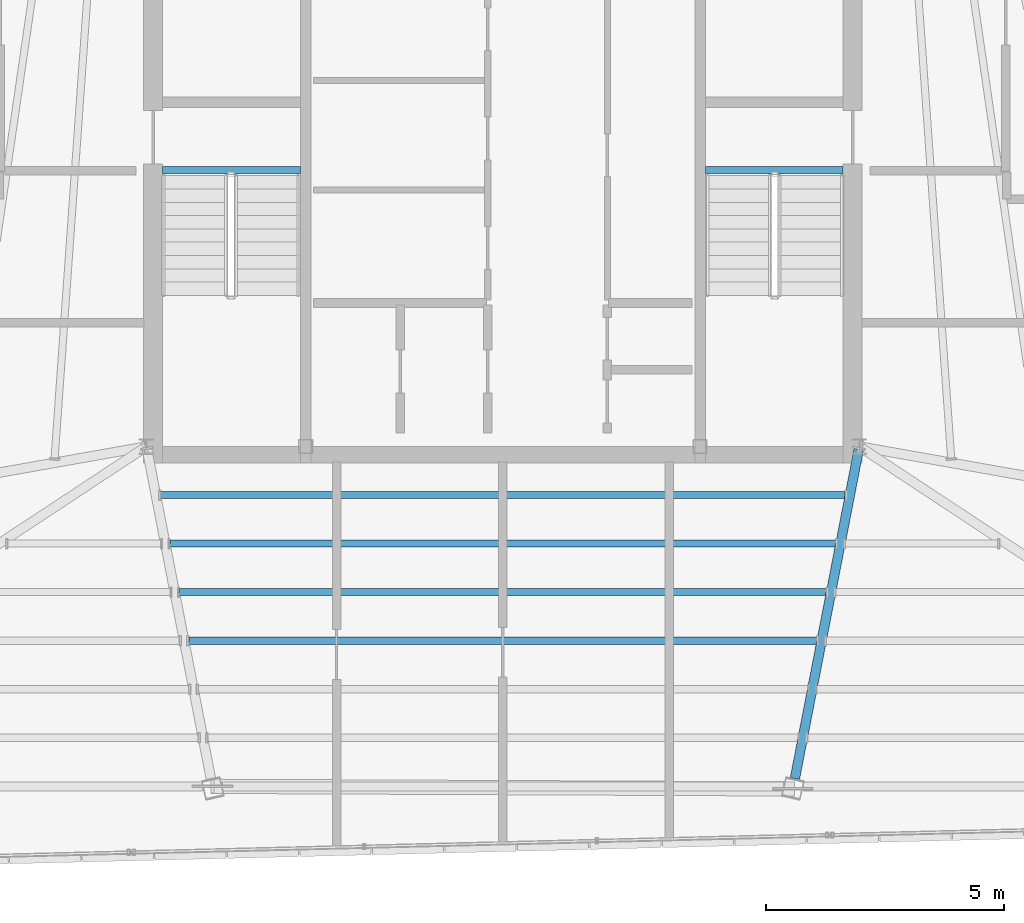
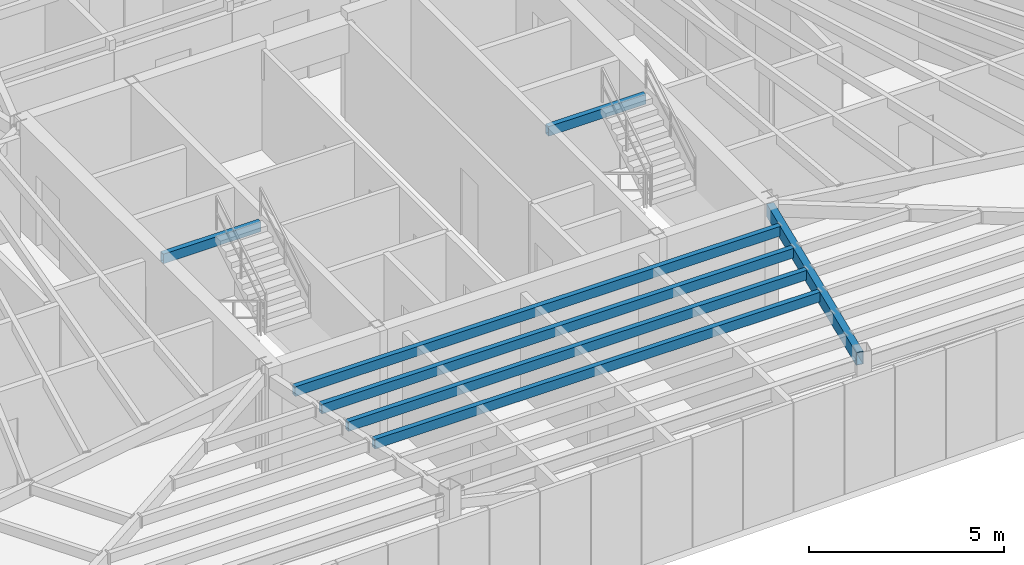
# One storey, part 16 of 48: 7 beams.
"""IFC4 building model written with IfcOpenShell, lengths in metres."""

from ifc_helpers import new_model, si_unit, direction, frame, origin, origin_2d, place, context, subcontext, project, spatial, hollow_rectangle, extrude, source, transform, mapped, material, material_profile, profile_set, type_object, type_shapes, element, save


model = new_model("IFC4")

# Units and contexts
model_context = context("Model", 3, precision=1e-05, world=origin(), true_north=direction((0.0, 1.0)))
body_context = subcontext(model_context, "Body", "Model", "MODEL_VIEW")
ifc_project = project(units=[si_unit("LENGTHUNIT", "METRE"), si_unit("AREAUNIT", "SQUARE_METRE"), si_unit("VOLUMEUNIT", "CUBIC_METRE"), si_unit("PLANEANGLEUNIT", "RADIAN"), si_unit("MASSUNIT", "GRAM", prefix="KILO")], contexts=[model_context])

# Site, building, storey
site_placement = place(None, origin())
site = spatial("IfcSite", under=ifc_project, at=site_placement, CompositionType="ELEMENT")
building_placement = place(site_placement, origin())
building = spatial("IfcBuilding", under=site, at=building_placement, Name="Caelisora Broadcast Tower", CompositionType="ELEMENT")
storey_placement = place(building_placement, frame((0.0, 0.0, 300.0)))
storey = spatial("IfcBuildingStorey", under=building, at=storey_placement, Name="L79", CompositionType="ELEMENT", Elevation=300.0)

# Beams
ifc_material = material(Name="Steel Grade 350 (AS/NZS 1163 C350L0)", Category="steel")
ifc_material_profile_1 = material_profile(ifc_material, hollow_rectangle(XDim=0.14990234375, YDim=0.300048828125, WallThickness=0.010009765625, at=origin_2d()), Name="Steel Grade 350 (AS/NZS 1163 C350L0)")
ifc_profile_set_1 = profile_set([ifc_material_profile_1], Name="Steel Grade 350 (AS/NZS 1163 C350L0)")
beam_type_1 = type_object("IfcBeamType", Name="SB05", PredefinedType="JOIST", material=ifc_profile_set_1)
shared_shape_1 = source(origin(), body_context, "Body", "SweptSolid", [
    extrude(hollow_rectangle(XDim=0.14990234375, YDim=0.300048828125, WallThickness=0.010009765625, at=origin_2d()), origin(), (0.0, 0.0, 1.0), 2.89990234375),
])
for number, where, z_axis, x_axis, name in (
    (1, (30.840087890625, 23.219970703125, 3.0), (1.0, 0.0, 0.0), (0.0, 1.0, 0.0), "L79 beam SB05"),
    (2, (42.260009765625, 23.219970703125, 3.0), (1.0, 0.0, 0.0), (0.0, 1.0, 0.0), "L79 beam SB05"),
):
    element("IfcBeam", number, at=place(storey_placement, frame(where, z_axis=z_axis, x_axis=x_axis)), inside=storey, type_object=beam_type_1, Name=name, PredefinedType="JOIST", context=body_context, shape_type="MappedRepresentation", body=[
        mapped(shared_shape_1, transform((0.0, 0.0, 0.0), scale=1.0)),
    ])
ifc_material_profile_2 = material_profile(ifc_material, hollow_rectangle(XDim=0.199951171875, YDim=0.39990234375, WallThickness=0.012451171875, at=origin_2d()), Name="Steel Grade 350 (AS/NZS 1163 C350L0)")
ifc_profile_set_2 = profile_set([ifc_material_profile_2], Name="Steel Grade 350 (AS/NZS 1163 C350L0)")
beam_type_2 = type_object("IfcBeamType", Name="PG07", PredefinedType="BEAM", material=ifc_profile_set_2)
shared_shape_2 = source(origin(), body_context, "Body", "SweptSolid", [
    extrude(hollow_rectangle(XDim=0.199951171875, YDim=0.39990234375, WallThickness=0.012451171875, at=origin_2d()), origin(), (0.0, 0.0, 1.0), 7.055419921875),
])
type_shapes(beam_type_2, [shared_shape_2])
beam_1_placement = place(storey_placement, frame((45.488525390625, 17.341064453125, 2.949951171875), z_axis=(-0.190456563699, -0.981695623574, 0.0), x_axis=(0.981695623574, -0.190456563699, 0.0)))
element("IfcBeam", 3, at=beam_1_placement, inside=storey, type_object=beam_type_2, Name="L79 beam PG07", PredefinedType="BEAM", context=body_context, shape_type="MappedRepresentation", body=[
    mapped(shared_shape_2, transform((0.0, 0.0, 0.0), scale=1.0)),
])
shared_shape_3 = source(origin(), body_context, "Body", "SweptSolid", [
    extrude(hollow_rectangle(XDim=0.14990234375, YDim=0.300048828125, WallThickness=0.010009765625, at=origin_2d()), origin(), (0.0, 0.0, 1.0), 14.40576171875),
])
beam_2_placement = place(storey_placement, frame((30.797119140625, 16.378662109375, 3.0), z_axis=(1.0, 0.0, 0.0), x_axis=(0.0, 1.0, 0.0)))
element("IfcBeam", 4, at=beam_2_placement, inside=storey, type_object=beam_type_1, Name="L79 beam SB05", PredefinedType="JOIST", context=body_context, shape_type="MappedRepresentation", body=[
    mapped(shared_shape_3, transform((0.0, 0.0, 0.0), scale=1.0)),
])
shared_shape_4 = source(origin(), body_context, "Body", "SweptSolid", [
    extrude(hollow_rectangle(XDim=0.14990234375, YDim=0.300048828125, WallThickness=0.010009765625, at=origin_2d()), origin(), (0.0, 0.0, 1.0), 14.00927734375),
])
beam_3_placement = place(storey_placement, frame((30.995361328125, 15.357177734375, 3.0), z_axis=(1.0, 0.0, 0.0), x_axis=(0.0, 1.0, 0.0)))
element("IfcBeam", 5, at=beam_3_placement, inside=storey, type_object=beam_type_1, Name="L79 beam SB05", PredefinedType="JOIST", context=body_context, shape_type="MappedRepresentation", body=[
    mapped(shared_shape_4, transform((0.0, 0.0, 0.0), scale=1.0)),
])
shared_shape_5 = source(origin(), body_context, "Body", "SweptSolid", [
    extrude(hollow_rectangle(XDim=0.14990234375, YDim=0.300048828125, WallThickness=0.010009765625, at=origin_2d()), origin(), (0.0, 0.0, 1.0), 13.61279296875),
])
beam_4_placement = place(storey_placement, frame((31.193603515625, 14.335693359375, 3.0), z_axis=(1.0, 0.0, 0.0), x_axis=(0.0, 1.0, 0.0)))
element("IfcBeam", 6, at=beam_4_placement, inside=storey, type_object=beam_type_1, Name="L79 beam SB05", PredefinedType="JOIST", context=body_context, shape_type="MappedRepresentation", body=[
    mapped(shared_shape_5, transform((0.0, 0.0, 0.0), scale=1.0)),
])
shared_shape_6 = source(origin(), body_context, "Body", "SweptSolid", [
    extrude(hollow_rectangle(XDim=0.14990234375, YDim=0.300048828125, WallThickness=0.010009765625, at=origin_2d()), origin(), (0.0, 0.0, 1.0), 13.216796875),
])
type_shapes(beam_type_1, [shared_shape_1, shared_shape_3, shared_shape_4, shared_shape_5, shared_shape_6])
beam_5_placement = place(storey_placement, frame((31.3916015625, 13.314208984375, 3.0), z_axis=(1.0, 0.0, 0.0), x_axis=(0.0, 1.0, 0.0)))
element("IfcBeam", 7, at=beam_5_placement, inside=storey, type_object=beam_type_1, Name="L79 beam SB05", PredefinedType="JOIST", context=body_context, shape_type="MappedRepresentation", body=[
    mapped(shared_shape_6, transform((0.0, 0.0, 0.0), scale=1.0)),
])

save(model, "model.ifc")
